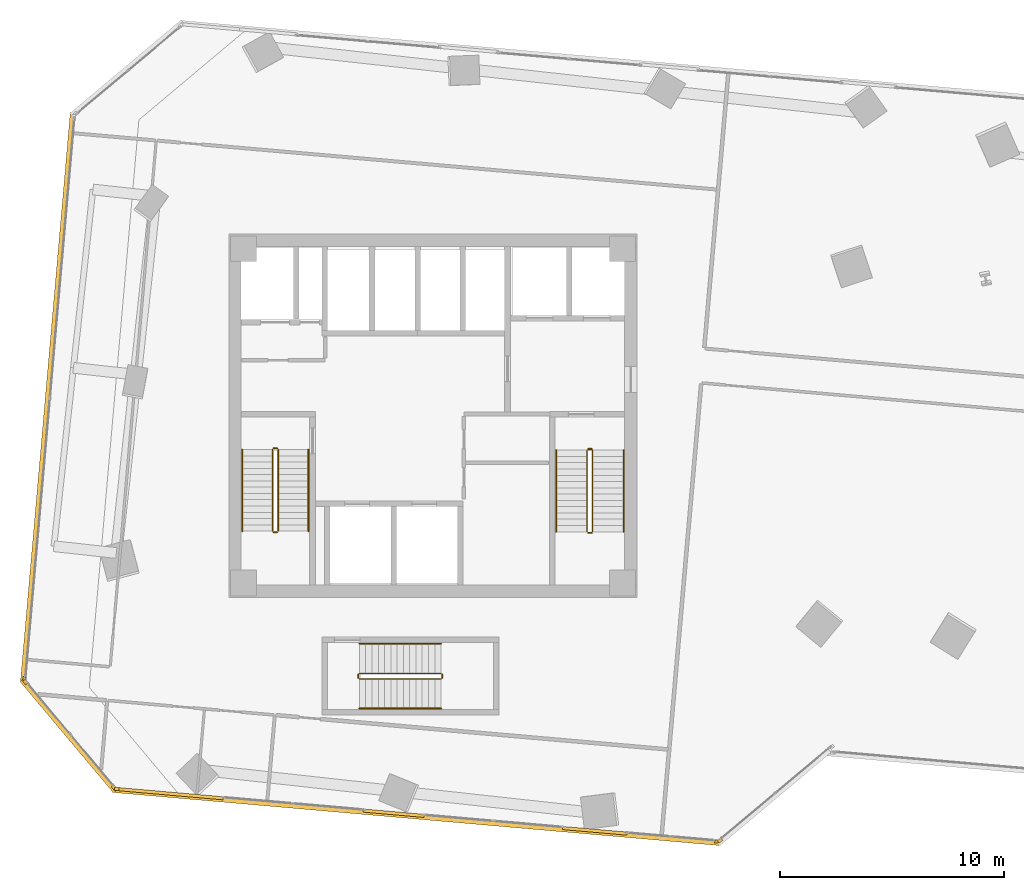
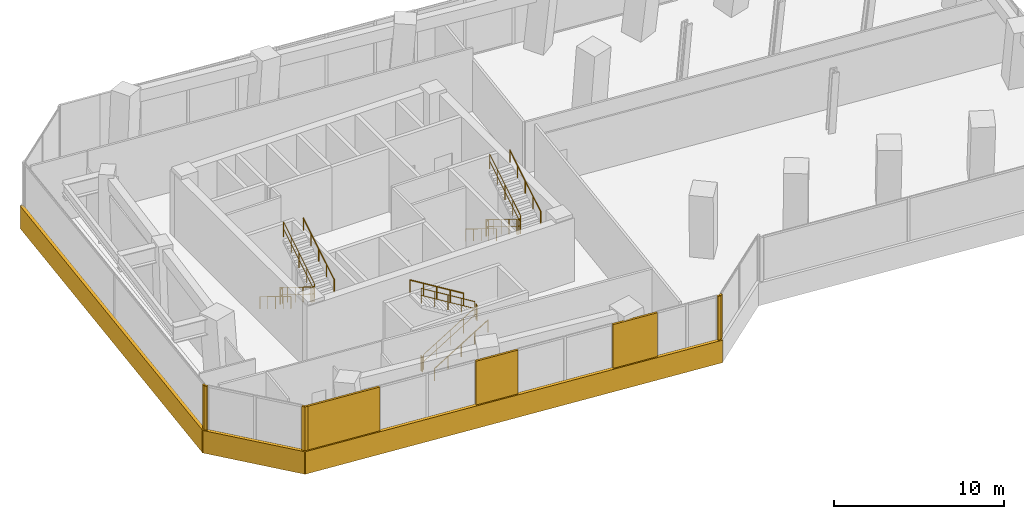
# One storey, part 22 of 24: 18 railings, 12 coverings.
"""IFC4 building model written with IfcOpenShell, lengths in metres."""

from ifc_helpers import new_model, si_unit, direction, frame, origin, origin_2d, place, context, subcontext, project, spatial, rectangle, circle, extrude, source, transform, mapped, material, layer, layer_set, type_object, element, save


model = new_model("IFC4")

# Units and contexts
model_context = context("Model", 3, precision=1e-05, world=origin(), true_north=direction((0.0, 1.0)))
body_context = subcontext(model_context, "Body", "Model", "MODEL_VIEW")
ifc_project = project(units=[si_unit("LENGTHUNIT", "METRE"), si_unit("AREAUNIT", "SQUARE_METRE"), si_unit("VOLUMEUNIT", "CUBIC_METRE"), si_unit("PLANEANGLEUNIT", "RADIAN"), si_unit("MASSUNIT", "GRAM", prefix="KILO")], contexts=[model_context])

# Site, building, storey
site_placement = place(None, origin())
site = spatial("IfcSite", under=ifc_project, at=site_placement, CompositionType="ELEMENT")
building_placement = place(site_placement, origin())
building = spatial("IfcBuilding", under=site, at=building_placement, Name="Torre Montelarca", CompositionType="ELEMENT")
storey_placement = place(building_placement, frame((0.0, 0.0, 52.0)))
storey = spatial("IfcBuildingStorey", under=building, at=storey_placement, Name="L11", CompositionType="ELEMENT", Elevation=52.0)

# Railings
ifc_material_1 = material(Name="Powder-coated steel ASTM A500 Grade C", Category="steel")
railing_type_1 = type_object("IfcRailingType", Name="RL-GUARD-1100", PredefinedType="BALUSTRADE", material=ifc_material_1)
railing_1_placement = place(storey_placement, frame((10.85009765625, 30.5, 0.17138671875)))
element("IfcRailing", 1, at=railing_1_placement, inside=storey, type_object=railing_type_1, Name="L11 ST1 stair guard 1", PredefinedType="BALUSTRADE", context=body_context, shape_type="SweptSolid", body=[
    extrude(circle(Radius=0.02392578125, at=origin_2d()), frame((0.0, 0.0, 1.076171875), z_axis=(0.0, -0.852850264322, 0.5221555579), x_axis=(1.0, 0.0, 0.0)), (0.0, 0.0, 1.0), 4.267822265625),
    extrude(circle(Radius=0.02099609375, at=origin_2d()), frame((0.0, 0.0, 0.572021484375), z_axis=(0.0, -0.852850264322, 0.5221555579), x_axis=(1.0, 0.0, 0.0)), (0.0, 0.0, 1.0), 4.267822265625),
    extrude(circle(Radius=0.02099609375, at=origin_2d()), origin(), (0.0, 0.0, 1.0), 1.052001953125),
    extrude(circle(Radius=0.02099609375, at=origin_2d()), frame((0.0, -0.909912109375, 0.55712890625)), (0.0, 0.0, 1.0), 1.052001953125),
    extrude(circle(Radius=0.02099609375, at=origin_2d()), frame((0.0, -1.81982421875, 1.1142578125)), (0.0, 0.0, 1.0), 1.052001953125),
    extrude(circle(Radius=0.02099609375, at=origin_2d()), frame((0.0, -2.72998046875, 1.67138671875)), (0.0, 0.0, 1.0), 1.052001953125),
    extrude(circle(Radius=0.02099609375, at=origin_2d()), frame((0.0, -3.639892578125, 2.228515625)), (0.0, 0.0, 1.0), 1.052001953125),
])
railing_2_placement = place(storey_placement, frame((10.89990234375, 26.81005859375, 2.39990234375)))
element("IfcRailing", 2, at=railing_2_placement, inside=storey, type_object=railing_type_1, Name="L11 ST1 stair guard 2", PredefinedType="BALUSTRADE", context=body_context, shape_type="SweptSolid", body=[
    extrude(circle(Radius=0.02392578125, at=origin_2d()), frame((0.0, 0.0, 1.076171875), z_axis=(1.0, 0.0, 0.0), x_axis=(0.0, 1.0, 0.0)), (0.0, 0.0, 1.0), 0.150146484375),
    extrude(circle(Radius=0.02099609375, at=origin_2d()), frame((0.0, 0.0, 0.572021484375), z_axis=(1.0, 0.0, 0.0), x_axis=(0.0, 1.0, 0.0)), (0.0, 0.0, 1.0), 0.150146484375),
    extrude(circle(Radius=0.02099609375, at=origin_2d()), origin(), (0.0, 0.0, 1.0), 1.052001953125),
    extrude(circle(Radius=0.02099609375, at=origin_2d()), frame((0.150146484375, 0.0, 0.0)), (0.0, 0.0, 1.0), 1.052001953125),
])
railing_3_placement = place(storey_placement, frame((11.10009765625, 26.860107421875, 2.571533203125)))
element("IfcRailing", 3, at=railing_3_placement, inside=storey, type_object=railing_type_1, Name="L11 ST1 stair guard 3", PredefinedType="BALUSTRADE", context=body_context, shape_type="SweptSolid", body=[
    extrude(circle(Radius=0.02392578125, at=origin_2d()), frame((0.0, 0.0, 1.076171875), z_axis=(0.0, 0.852850264322, 0.5221555579), x_axis=(-1.0, 0.0, 0.0)), (0.0, 0.0, 1.0), 4.267822265625),
    extrude(circle(Radius=0.02099609375, at=origin_2d()), frame((0.0, 0.0, 0.572021484375), z_axis=(0.0, 0.852850264322, 0.5221555579), x_axis=(-1.0, 0.0, 0.0)), (0.0, 0.0, 1.0), 4.267822265625),
    extrude(circle(Radius=0.02099609375, at=origin_2d()), origin(), (0.0, 0.0, 1.0), 1.052001953125),
    extrude(circle(Radius=0.02099609375, at=origin_2d()), frame((0.0, 0.909912109375, 0.55712890625)), (0.0, 0.0, 1.0), 1.052001953125),
    extrude(circle(Radius=0.02099609375, at=origin_2d()), frame((0.0, 1.81982421875, 1.1142578125)), (0.0, 0.0, 1.0), 1.052001953125),
    extrude(circle(Radius=0.02099609375, at=origin_2d()), frame((0.0, 2.72998046875, 1.67138671875)), (0.0, 0.0, 1.0), 1.052001953125),
    extrude(circle(Radius=0.02099609375, at=origin_2d()), frame((0.0, 3.639892578125, 2.228515625)), (0.0, 0.0, 1.0), 1.052001953125),
])
railing_4_placement = place(storey_placement, frame((10.89990234375, 30.550048828125, 0.0)))
element("IfcRailing", 4, at=railing_4_placement, inside=storey, type_object=railing_type_1, Name="L11 ST1 stair guard 4", PredefinedType="BALUSTRADE", context=body_context, shape_type="SweptSolid", body=[
    extrude(circle(Radius=0.02392578125, at=origin_2d()), frame((0.0, 0.0, 1.076171875), z_axis=(1.0, 0.0, 0.0), x_axis=(0.0, 1.0, 0.0)), (0.0, 0.0, 1.0), 0.150146484375),
    extrude(circle(Radius=0.02099609375, at=origin_2d()), frame((0.0, 0.0, 0.572021484375), z_axis=(1.0, 0.0, 0.0), x_axis=(0.0, 1.0, 0.0)), (0.0, 0.0, 1.0), 0.150146484375),
    extrude(circle(Radius=0.02099609375, at=origin_2d()), origin(), (0.0, 0.0, 1.0), 1.052001953125),
    extrude(circle(Radius=0.02099609375, at=origin_2d()), frame((0.150146484375, 0.0, 0.0)), (0.0, 0.0, 1.0), 1.052001953125),
])
railing_5_placement = place(storey_placement, frame((24.8701171875, 30.469970703125, 0.17138671875)))
element("IfcRailing", 5, at=railing_5_placement, inside=storey, type_object=railing_type_1, Name="L11 ST2 stair guard 1", PredefinedType="BALUSTRADE", context=body_context, shape_type="SweptSolid", body=[
    extrude(circle(Radius=0.02392578125, at=origin_2d()), frame((0.0, 0.0, 1.076171875), z_axis=(0.0, -0.852850264322, 0.5221555579), x_axis=(1.0, 0.0, 0.0)), (0.0, 0.0, 1.0), 4.267822265625),
    extrude(circle(Radius=0.02099609375, at=origin_2d()), frame((0.0, 0.0, 0.572021484375), z_axis=(0.0, -0.852850264322, 0.5221555579), x_axis=(1.0, 0.0, 0.0)), (0.0, 0.0, 1.0), 4.267822265625),
    extrude(circle(Radius=0.02099609375, at=origin_2d()), origin(), (0.0, 0.0, 1.0), 1.052001953125),
    extrude(circle(Radius=0.02099609375, at=origin_2d()), frame((0.0, -0.909912109375, 0.55712890625)), (0.0, 0.0, 1.0), 1.052001953125),
    extrude(circle(Radius=0.02099609375, at=origin_2d()), frame((0.0, -1.81982421875, 1.1142578125)), (0.0, 0.0, 1.0), 1.052001953125),
    extrude(circle(Radius=0.02099609375, at=origin_2d()), frame((0.0, -2.72998046875, 1.67138671875)), (0.0, 0.0, 1.0), 1.052001953125),
    extrude(circle(Radius=0.02099609375, at=origin_2d()), frame((0.0, -3.639892578125, 2.228515625)), (0.0, 0.0, 1.0), 1.052001953125),
])
railing_6_placement = place(storey_placement, frame((24.919921875, 26.780029296875, 2.39990234375)))
element("IfcRailing", 6, at=railing_6_placement, inside=storey, type_object=railing_type_1, Name="L11 ST2 stair guard 2", PredefinedType="BALUSTRADE", context=body_context, shape_type="SweptSolid", body=[
    extrude(circle(Radius=0.02392578125, at=origin_2d()), frame((0.0, 0.0, 1.076171875), z_axis=(1.0, 0.0, 0.0), x_axis=(0.0, 1.0, 0.0)), (0.0, 0.0, 1.0), 0.150146484375),
    extrude(circle(Radius=0.02099609375, at=origin_2d()), frame((0.0, 0.0, 0.572021484375), z_axis=(1.0, 0.0, 0.0), x_axis=(0.0, 1.0, 0.0)), (0.0, 0.0, 1.0), 0.150146484375),
    extrude(circle(Radius=0.02099609375, at=origin_2d()), origin(), (0.0, 0.0, 1.0), 1.052001953125),
    extrude(circle(Radius=0.02099609375, at=origin_2d()), frame((0.150146484375, 0.0, 0.0)), (0.0, 0.0, 1.0), 1.052001953125),
])
railing_7_placement = place(storey_placement, frame((25.1201171875, 26.830078125, 2.571533203125)))
element("IfcRailing", 7, at=railing_7_placement, inside=storey, type_object=railing_type_1, Name="L11 ST2 stair guard 3", PredefinedType="BALUSTRADE", context=body_context, shape_type="SweptSolid", body=[
    extrude(circle(Radius=0.02392578125, at=origin_2d()), frame((0.0, 0.0, 1.076171875), z_axis=(0.0, 0.852850264322, 0.5221555579), x_axis=(-1.0, 0.0, 0.0)), (0.0, 0.0, 1.0), 4.267822265625),
    extrude(circle(Radius=0.02099609375, at=origin_2d()), frame((0.0, 0.0, 0.572021484375), z_axis=(0.0, 0.852850264322, 0.5221555579), x_axis=(-1.0, 0.0, 0.0)), (0.0, 0.0, 1.0), 4.267822265625),
    extrude(circle(Radius=0.02099609375, at=origin_2d()), origin(), (0.0, 0.0, 1.0), 1.052001953125),
    extrude(circle(Radius=0.02099609375, at=origin_2d()), frame((0.0, 0.909912109375, 0.55712890625)), (0.0, 0.0, 1.0), 1.052001953125),
    extrude(circle(Radius=0.02099609375, at=origin_2d()), frame((0.0, 1.81982421875, 1.1142578125)), (0.0, 0.0, 1.0), 1.052001953125),
    extrude(circle(Radius=0.02099609375, at=origin_2d()), frame((0.0, 2.72998046875, 1.67138671875)), (0.0, 0.0, 1.0), 1.052001953125),
    extrude(circle(Radius=0.02099609375, at=origin_2d()), frame((0.0, 3.639892578125, 2.228515625)), (0.0, 0.0, 1.0), 1.052001953125),
])
railing_8_placement = place(storey_placement, frame((24.919921875, 30.52001953125, 0.0)))
element("IfcRailing", 8, at=railing_8_placement, inside=storey, type_object=railing_type_1, Name="L11 ST2 stair guard 4", PredefinedType="BALUSTRADE", context=body_context, shape_type="SweptSolid", body=[
    extrude(circle(Radius=0.02392578125, at=origin_2d()), frame((0.0, 0.0, 1.076171875), z_axis=(1.0, 0.0, 0.0), x_axis=(0.0, 1.0, 0.0)), (0.0, 0.0, 1.0), 0.150146484375),
    extrude(circle(Radius=0.02099609375, at=origin_2d()), frame((0.0, 0.0, 0.572021484375), z_axis=(1.0, 0.0, 0.0), x_axis=(0.0, 1.0, 0.0)), (0.0, 0.0, 1.0), 0.150146484375),
    extrude(circle(Radius=0.02099609375, at=origin_2d()), origin(), (0.0, 0.0, 1.0), 1.052001953125),
    extrude(circle(Radius=0.02099609375, at=origin_2d()), frame((0.150146484375, 0.0, 0.0)), (0.0, 0.0, 1.0), 1.052001953125),
])
railing_9_placement = place(storey_placement, frame((14.719970703125, 20.27001953125, 0.17138671875)))
element("IfcRailing", 9, at=railing_9_placement, inside=storey, type_object=railing_type_1, Name="L11 ST3 stair guard 1", PredefinedType="BALUSTRADE", context=body_context, shape_type="SweptSolid", body=[
    extrude(circle(Radius=0.02392578125, at=origin_2d()), frame((0.0, 0.0, 1.076171875), z_axis=(0.852865859571, 0.0, 0.52213008492), x_axis=(0.0, 1.0, 0.0)), (0.0, 0.0, 1.0), 4.26806640625),
    extrude(circle(Radius=0.02099609375, at=origin_2d()), frame((0.0, 0.0, 0.572021484375), z_axis=(0.852865859571, 0.0, 0.52213008492), x_axis=(0.0, 1.0, 0.0)), (0.0, 0.0, 1.0), 4.26806640625),
    extrude(circle(Radius=0.02099609375, at=origin_2d()), origin(), (0.0, 0.0, 1.0), 1.052001953125),
    extrude(circle(Radius=0.02099609375, at=origin_2d()), frame((0.91015625, 0.0, 0.55712890625)), (0.0, 0.0, 1.0), 1.052001953125),
    extrude(circle(Radius=0.02099609375, at=origin_2d()), frame((1.820068359375, 0.0, 1.1142578125)), (0.0, 0.0, 1.0), 1.052001953125),
    extrude(circle(Radius=0.02099609375, at=origin_2d()), frame((2.72998046875, 0.0, 1.67138671875)), (0.0, 0.0, 1.0), 1.052001953125),
    extrude(circle(Radius=0.02099609375, at=origin_2d()), frame((3.64013671875, 0.0, 2.228515625)), (0.0, 0.0, 1.0), 1.052001953125),
])
railing_10_placement = place(storey_placement, frame((18.409912109375, 20.320068359375, 2.39990234375)))
element("IfcRailing", 10, at=railing_10_placement, inside=storey, type_object=railing_type_1, Name="L11 ST3 stair guard 2", PredefinedType="BALUSTRADE", context=body_context, shape_type="SweptSolid", body=[
    extrude(circle(Radius=0.02392578125, at=origin_2d()), frame((0.0, 0.0, 1.076171875), z_axis=(0.0, 1.0, 0.0), x_axis=(-1.0, 0.0, 0.0)), (0.0, 0.0, 1.0), 0.14990234375),
    extrude(circle(Radius=0.02099609375, at=origin_2d()), frame((0.0, 0.0, 0.572021484375), z_axis=(0.0, 1.0, 0.0), x_axis=(-1.0, 0.0, 0.0)), (0.0, 0.0, 1.0), 0.14990234375),
    extrude(circle(Radius=0.02099609375, at=origin_2d()), origin(), (0.0, 0.0, 1.0), 1.052001953125),
    extrude(circle(Radius=0.02099609375, at=origin_2d()), frame((0.0, 0.14990234375, 0.0)), (0.0, 0.0, 1.0), 1.052001953125),
])
railing_11_placement = place(storey_placement, frame((18.360107421875, 20.52001953125, 2.571533203125)))
element("IfcRailing", 11, at=railing_11_placement, inside=storey, type_object=railing_type_1, Name="L11 ST3 stair guard 3", PredefinedType="BALUSTRADE", context=body_context, shape_type="SweptSolid", body=[
    extrude(circle(Radius=0.02392578125, at=origin_2d()), frame((0.0, 0.0, 1.076171875), z_axis=(-0.852865859571, 0.0, 0.52213008492), x_axis=(0.0, -1.0, 0.0)), (0.0, 0.0, 1.0), 4.26806640625),
    extrude(circle(Radius=0.02099609375, at=origin_2d()), frame((0.0, 0.0, 0.572021484375), z_axis=(-0.852865859571, 0.0, 0.52213008492), x_axis=(0.0, -1.0, 0.0)), (0.0, 0.0, 1.0), 4.26806640625),
    extrude(circle(Radius=0.02099609375, at=origin_2d()), origin(), (0.0, 0.0, 1.0), 1.052001953125),
    extrude(circle(Radius=0.02099609375, at=origin_2d()), frame((-0.91015625, 0.0, 0.55712890625)), (0.0, 0.0, 1.0), 1.052001953125),
    extrude(circle(Radius=0.02099609375, at=origin_2d()), frame((-1.820068359375, 0.0, 1.1142578125)), (0.0, 0.0, 1.0), 1.052001953125),
    extrude(circle(Radius=0.02099609375, at=origin_2d()), frame((-2.72998046875, 0.0, 1.67138671875)), (0.0, 0.0, 1.0), 1.052001953125),
    extrude(circle(Radius=0.02099609375, at=origin_2d()), frame((-3.64013671875, 0.0, 2.228515625)), (0.0, 0.0, 1.0), 1.052001953125),
])
railing_12_placement = place(storey_placement, frame((14.669921875, 20.320068359375, 0.0)))
element("IfcRailing", 12, at=railing_12_placement, inside=storey, type_object=railing_type_1, Name="L11 ST3 stair guard 4", PredefinedType="BALUSTRADE", context=body_context, shape_type="SweptSolid", body=[
    extrude(circle(Radius=0.02392578125, at=origin_2d()), frame((0.0, 0.0, 1.076171875), z_axis=(0.0, 1.0, 0.0), x_axis=(-1.0, 0.0, 0.0)), (0.0, 0.0, 1.0), 0.14990234375),
    extrude(circle(Radius=0.02099609375, at=origin_2d()), frame((0.0, 0.0, 0.572021484375), z_axis=(0.0, 1.0, 0.0), x_axis=(-1.0, 0.0, 0.0)), (0.0, 0.0, 1.0), 0.14990234375),
    extrude(circle(Radius=0.02099609375, at=origin_2d()), origin(), (0.0, 0.0, 1.0), 1.052001953125),
    extrude(circle(Radius=0.02099609375, at=origin_2d()), frame((0.0, 0.14990234375, 0.0)), (0.0, 0.0, 1.0), 1.052001953125),
])
ifc_material_2 = material(Name="Brushed stainless steel AISI 316", Category="steel")
railing_type_2 = type_object("IfcRailingType", Name="RL-HANDRAIL-900", PredefinedType="HANDRAIL", material=ifc_material_2)
railing_13_placement = place(storey_placement, frame((9.5, 30.5, 0.17138671875)))
element("IfcRailing", 13, at=railing_13_placement, inside=storey, type_object=railing_type_2, Name="L11 ST1 stair handrail 1", PredefinedType="HANDRAIL", context=body_context, shape_type="SweptSolid", body=[
    extrude(circle(Radius=0.02392578125, at=origin_2d()), frame((0.0, 0.0, 0.8759765625), z_axis=(0.0, -0.852850264322, 0.5221555579), x_axis=(1.0, 0.0, 0.0)), (0.0, 0.0, 1.0), 4.267822265625),
    extrude(circle(Radius=0.02099609375, at=origin_2d()), origin(), (0.0, 0.0, 1.0), 0.851806640625),
    extrude(circle(Radius=0.02099609375, at=origin_2d()), frame((0.0, -0.909912109375, 0.55712890625)), (0.0, 0.0, 1.0), 0.851806640625),
    extrude(circle(Radius=0.02099609375, at=origin_2d()), frame((0.0, -1.81982421875, 1.1142578125)), (0.0, 0.0, 1.0), 0.851806640625),
    extrude(circle(Radius=0.02099609375, at=origin_2d()), frame((0.0, -2.72998046875, 1.67138671875)), (0.0, 0.0, 1.0), 0.851806640625),
    extrude(circle(Radius=0.02099609375, at=origin_2d()), frame((0.0, -3.639892578125, 2.228515625)), (0.0, 0.0, 1.0), 0.851806640625),
])
railing_14_placement = place(storey_placement, frame((12.449951171875, 26.860107421875, 2.571533203125)))
element("IfcRailing", 14, at=railing_14_placement, inside=storey, type_object=railing_type_2, Name="L11 ST1 stair handrail 2", PredefinedType="HANDRAIL", context=body_context, shape_type="SweptSolid", body=[
    extrude(circle(Radius=0.02392578125, at=origin_2d()), frame((0.0, 0.0, 0.8759765625), z_axis=(0.0, 0.852850264322, 0.5221555579), x_axis=(-1.0, 0.0, 0.0)), (0.0, 0.0, 1.0), 4.267822265625),
    extrude(circle(Radius=0.02099609375, at=origin_2d()), origin(), (0.0, 0.0, 1.0), 0.851806640625),
    extrude(circle(Radius=0.02099609375, at=origin_2d()), frame((0.0, 0.909912109375, 0.55712890625)), (0.0, 0.0, 1.0), 0.851806640625),
    extrude(circle(Radius=0.02099609375, at=origin_2d()), frame((0.0, 1.81982421875, 1.1142578125)), (0.0, 0.0, 1.0), 0.851806640625),
    extrude(circle(Radius=0.02099609375, at=origin_2d()), frame((0.0, 2.72998046875, 1.67138671875)), (0.0, 0.0, 1.0), 0.851806640625),
    extrude(circle(Radius=0.02099609375, at=origin_2d()), frame((0.0, 3.639892578125, 2.228515625)), (0.0, 0.0, 1.0), 0.851806640625),
])
railing_15_placement = place(storey_placement, frame((23.489990234375, 30.469970703125, 0.17138671875)))
element("IfcRailing", 15, at=railing_15_placement, inside=storey, type_object=railing_type_2, Name="L11 ST2 stair handrail 1", PredefinedType="HANDRAIL", context=body_context, shape_type="SweptSolid", body=[
    extrude(circle(Radius=0.02392578125, at=origin_2d()), frame((0.0, 0.0, 0.8759765625), z_axis=(0.0, -0.852850264322, 0.5221555579), x_axis=(1.0, 0.0, 0.0)), (0.0, 0.0, 1.0), 4.267822265625),
    extrude(circle(Radius=0.02099609375, at=origin_2d()), origin(), (0.0, 0.0, 1.0), 0.851806640625),
    extrude(circle(Radius=0.02099609375, at=origin_2d()), frame((0.0, -0.909912109375, 0.55712890625)), (0.0, 0.0, 1.0), 0.851806640625),
    extrude(circle(Radius=0.02099609375, at=origin_2d()), frame((0.0, -1.81982421875, 1.1142578125)), (0.0, 0.0, 1.0), 0.851806640625),
    extrude(circle(Radius=0.02099609375, at=origin_2d()), frame((0.0, -2.72998046875, 1.67138671875)), (0.0, 0.0, 1.0), 0.851806640625),
    extrude(circle(Radius=0.02099609375, at=origin_2d()), frame((0.0, -3.639892578125, 2.228515625)), (0.0, 0.0, 1.0), 0.851806640625),
])
railing_16_placement = place(storey_placement, frame((26.5, 26.830078125, 2.571533203125)))
element("IfcRailing", 16, at=railing_16_placement, inside=storey, type_object=railing_type_2, Name="L11 ST2 stair handrail 2", PredefinedType="HANDRAIL", context=body_context, shape_type="SweptSolid", body=[
    extrude(circle(Radius=0.02392578125, at=origin_2d()), frame((0.0, 0.0, 0.8759765625), z_axis=(0.0, 0.852850264322, 0.5221555579), x_axis=(-1.0, 0.0, 0.0)), (0.0, 0.0, 1.0), 4.267822265625),
    extrude(circle(Radius=0.02099609375, at=origin_2d()), origin(), (0.0, 0.0, 1.0), 0.851806640625),
    extrude(circle(Radius=0.02099609375, at=origin_2d()), frame((0.0, 0.909912109375, 0.55712890625)), (0.0, 0.0, 1.0), 0.851806640625),
    extrude(circle(Radius=0.02099609375, at=origin_2d()), frame((0.0, 1.81982421875, 1.1142578125)), (0.0, 0.0, 1.0), 0.851806640625),
    extrude(circle(Radius=0.02099609375, at=origin_2d()), frame((0.0, 2.72998046875, 1.67138671875)), (0.0, 0.0, 1.0), 0.851806640625),
    extrude(circle(Radius=0.02099609375, at=origin_2d()), frame((0.0, 3.639892578125, 2.228515625)), (0.0, 0.0, 1.0), 0.851806640625),
])
railing_17_placement = place(storey_placement, frame((14.719970703125, 18.949951171875, 0.17138671875)))
element("IfcRailing", 17, at=railing_17_placement, inside=storey, type_object=railing_type_2, Name="L11 ST3 stair handrail 1", PredefinedType="HANDRAIL", context=body_context, shape_type="SweptSolid", body=[
    extrude(circle(Radius=0.02392578125, at=origin_2d()), frame((0.0, 0.0, 0.8759765625), z_axis=(0.852865859571, 0.0, 0.52213008492), x_axis=(0.0, 1.0, 0.0)), (0.0, 0.0, 1.0), 4.26806640625),
    extrude(circle(Radius=0.02099609375, at=origin_2d()), origin(), (0.0, 0.0, 1.0), 0.851806640625),
    extrude(circle(Radius=0.02099609375, at=origin_2d()), frame((0.91015625, 0.0, 0.55712890625)), (0.0, 0.0, 1.0), 0.851806640625),
    extrude(circle(Radius=0.02099609375, at=origin_2d()), frame((1.820068359375, 0.0, 1.1142578125)), (0.0, 0.0, 1.0), 0.851806640625),
    extrude(circle(Radius=0.02099609375, at=origin_2d()), frame((2.72998046875, 0.0, 1.67138671875)), (0.0, 0.0, 1.0), 0.851806640625),
    extrude(circle(Radius=0.02099609375, at=origin_2d()), frame((3.64013671875, 0.0, 2.228515625)), (0.0, 0.0, 1.0), 0.851806640625),
])
railing_18_placement = place(storey_placement, frame((18.360107421875, 21.840087890625, 2.571533203125)))
element("IfcRailing", 18, at=railing_18_placement, inside=storey, type_object=railing_type_2, Name="L11 ST3 stair handrail 2", PredefinedType="HANDRAIL", context=body_context, shape_type="SweptSolid", body=[
    extrude(circle(Radius=0.02392578125, at=origin_2d()), frame((0.0, 0.0, 0.8759765625), z_axis=(-0.852865859571, 0.0, 0.52213008492), x_axis=(0.0, -1.0, 0.0)), (0.0, 0.0, 1.0), 4.26806640625),
    extrude(circle(Radius=0.02099609375, at=origin_2d()), origin(), (0.0, 0.0, 1.0), 0.851806640625),
    extrude(circle(Radius=0.02099609375, at=origin_2d()), frame((-0.91015625, 0.0, 0.55712890625)), (0.0, 0.0, 1.0), 0.851806640625),
    extrude(circle(Radius=0.02099609375, at=origin_2d()), frame((-1.820068359375, 0.0, 1.1142578125)), (0.0, 0.0, 1.0), 0.851806640625),
    extrude(circle(Radius=0.02099609375, at=origin_2d()), frame((-2.72998046875, 0.0, 1.67138671875)), (0.0, 0.0, 1.0), 0.851806640625),
    extrude(circle(Radius=0.02099609375, at=origin_2d()), frame((-3.64013671875, 0.0, 2.228515625)), (0.0, 0.0, 1.0), 0.851806640625),
])

# Coverings
ifc_material_3 = material(Name="Bush-hammered warm white precast concrete C45/55", Category="concrete")
ifc_layer = layer(ifc_material_3, 0.139892578125, Name="Bush-hammered warm white precast concrete C45/55", Category="concrete")
ifc_layer_set = layer_set([ifc_layer], Name="Bush-hammered warm white precast concrete C45/55")
covering_type = type_object("IfcCoveringType", Name="COV-TRAY-CLAD", PredefinedType="CLADDING", material=ifc_layer_set)
shared_shape_1 = source(origin(), body_context, "Body", "SweptSolid", [
    extrude(rectangle(XDim=0.199951171875, YDim=0.139892578125, at=origin_2d()), origin(), (0.0, 0.0, 1.0), 4.320068359375),
])
for number, where, z_axis, x_axis, name in (
    (19, (3.898681640625, 15.36083984375, 0.0), (0.0, 0.0, 1.0), (0.996194545975, -0.087157481435, 0.0), "L11 Architectural Column Pier Cladding E01-1"),
    (20, (30.664794921875, 13.01904296875, 0.0), (0.0, 0.0, 1.0), (0.996194545975, -0.087157481435, 0.0), "L11 Architectural Column Pier Cladding E01-5"),
    (21, (30.80322265625, 13.062744140625, 0.0), (0.0, 0.0, 1.0), (0.766048930604, 0.642782261672, 0.0), "L11 Architectural Column Pier Cladding E02-1"),
    (22, (-0.215576171875, 20.263916015625, 0.0), (0.0, 0.0, 1.0), (-0.08716095881, -0.996194241732, 0.0), "L11 Architectural Column Pier Cladding E10-2"),
    (23, (-0.171875, 20.12548828125, 0.0), (0.0, 0.0, 1.0), (0.642794294661, -0.76603883371, 0.0), "L11 Architectural Column Pier Cladding E11-1"),
    (24, (3.77001953125, 15.427734375, 0.0), (0.0, 0.0, 1.0), (0.642794294661, -0.76603883371, 0.0), "L11 Architectural Column Pier Cladding E11-2"),
):
    element("IfcCovering", number, at=place(storey_placement, frame(where, z_axis=z_axis, x_axis=x_axis)), inside=storey, type_object=covering_type, Name=name, PredefinedType="CLADDING", context=body_context, shape_type="MappedRepresentation", body=[
        mapped(shared_shape_1, transform((0.0, 0.0, 0.0), scale=1.0)),
    ])
shared_shape_2 = source(origin(), body_context, "Body", "SweptSolid", [
    extrude(rectangle(XDim=4.76416015625, YDim=0.139892578125, at=origin_2d()), origin(), (0.0, 0.0, 1.0), 4.320068359375),
])
covering_1_placement = place(storey_placement, frame((6.271728515625, 15.1533203125, 0.0), z_axis=(0.0, 0.0, 1.0), x_axis=(0.996194545975, -0.087157481435, 0.0)))
element("IfcCovering", 25, at=covering_1_placement, inside=storey, type_object=covering_type, Name="L11 Architectural Column Pier Cladding E01-2", PredefinedType="CLADDING", context=body_context, shape_type="MappedRepresentation", body=[
    mapped(shared_shape_2, transform((0.0, 0.0, 0.0), scale=1.0)),
])
shared_shape_3 = source(origin(), body_context, "Body", "SweptSolid", [
    extrude(rectangle(XDim=6.48388671875, YDim=0.219970703125, at=origin_2d()), origin(), (0.0, 0.0, 1.0), 1.6201171875),
])
covering_2_placement = place(storey_placement, frame((1.7529296875, 17.738037109375, -0.449951171875), z_axis=(0.0, 0.0, 1.0), x_axis=(0.642787609687, -0.766044443119, 0.0)))
element("IfcCovering", 26, at=covering_2_placement, inside=storey, type_object=covering_type, Name="L11 Architectural White Spandrel Tray Band TRYBOT-11", PredefinedType="CLADDING", context=body_context, shape_type="MappedRepresentation", body=[
    mapped(shared_shape_3, transform((0.0, 0.0, 0.0), scale=1.0)),
])
shared_shape_4 = source(origin(), body_context, "Body", "SweptSolid", [
    extrude(rectangle(XDim=25.52001953125, YDim=0.219970703125, at=origin_2d()), origin(), (0.0, 0.0, 1.0), 1.6201171875),
])
covering_3_placement = place(storey_placement, frame((0.821533203125, 32.805419921875, -0.449951171875), z_axis=(0.0, 0.0, 1.0), x_axis=(-0.087157481435, -0.996194545975, 0.0)))
element("IfcCovering", 27, at=covering_3_placement, inside=storey, type_object=covering_type, Name="L11 Architectural White Spandrel Tray Band TRYBOT-10", PredefinedType="CLADDING", context=body_context, shape_type="MappedRepresentation", body=[
    mapped(shared_shape_4, transform((0.0, 0.0, 0.0), scale=1.0)),
])
shared_shape_5 = source(origin(), body_context, "Body", "SweptSolid", [
    extrude(rectangle(XDim=2.734375, YDim=0.139892578125, at=origin_2d()), origin(), (0.0, 0.0, 1.0), 4.320068359375),
])
covering_4_placement = place(storey_placement, frame((16.248291015625, 14.2802734375, 0.0), z_axis=(0.0, 0.0, 1.0), x_axis=(0.996194545975, -0.087157481435, 0.0)))
element("IfcCovering", 28, at=covering_4_placement, inside=storey, type_object=covering_type, Name="L11 Architectural Column Pier Cladding E01-3", PredefinedType="CLADDING", context=body_context, shape_type="MappedRepresentation", body=[
    mapped(shared_shape_5, transform((0.0, 0.0, 0.0), scale=1.0)),
])
shared_shape_6 = source(origin(), body_context, "Body", "SweptSolid", [
    extrude(rectangle(XDim=2.886474609375, YDim=0.139892578125, at=origin_2d()), origin(), (0.0, 0.0, 1.0), 4.320068359375),
])
covering_5_placement = place(storey_placement, frame((25.213134765625, 13.49609375, 0.0), z_axis=(0.0, 0.0, 1.0), x_axis=(0.996194545975, -0.087157481435, 0.0)))
element("IfcCovering", 29, at=covering_5_placement, inside=storey, type_object=covering_type, Name="L11 Architectural Column Pier Cladding E01-4", PredefinedType="CLADDING", context=body_context, shape_type="MappedRepresentation", body=[
    mapped(shared_shape_6, transform((0.0, 0.0, 0.0), scale=1.0)),
])
shared_shape_7 = source(origin(), body_context, "Body", "SweptSolid", [
    extrude(rectangle(XDim=27.219970703125, YDim=0.219970703125, at=origin_2d()), origin(), (0.0, 0.0, 1.0), 1.6201171875),
])
covering_6_placement = place(storey_placement, frame((17.276611328125, 14.130126953125, -0.449951171875), z_axis=(0.0, 0.0, 1.0), x_axis=(0.996194698092, -0.087155742748, 0.0)))
element("IfcCovering", 30, at=covering_6_placement, inside=storey, type_object=covering_type, Name="L11 Architectural White Spandrel Tray Band TRYBOT-01", PredefinedType="CLADDING", context=body_context, shape_type="MappedRepresentation", body=[
    mapped(shared_shape_7, transform((0.0, 0.0, 0.0), scale=1.0)),
])

save(model, "model.ifc")
